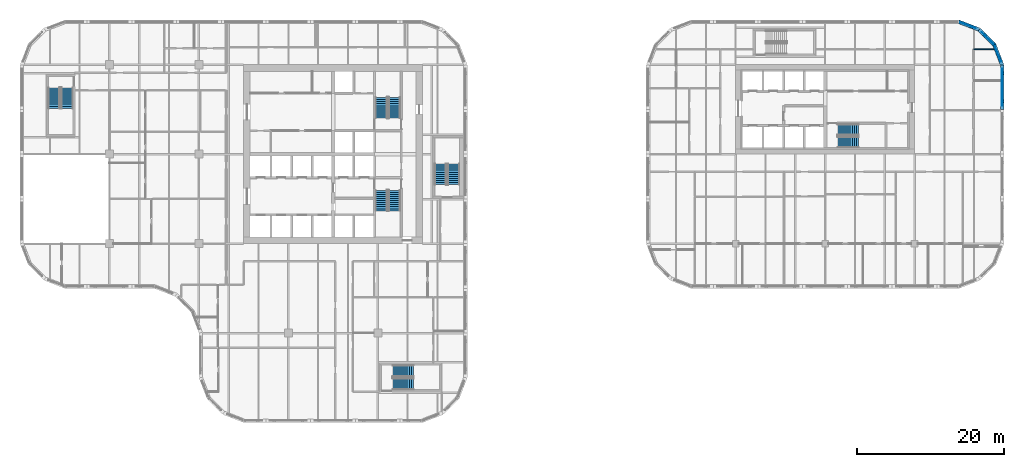
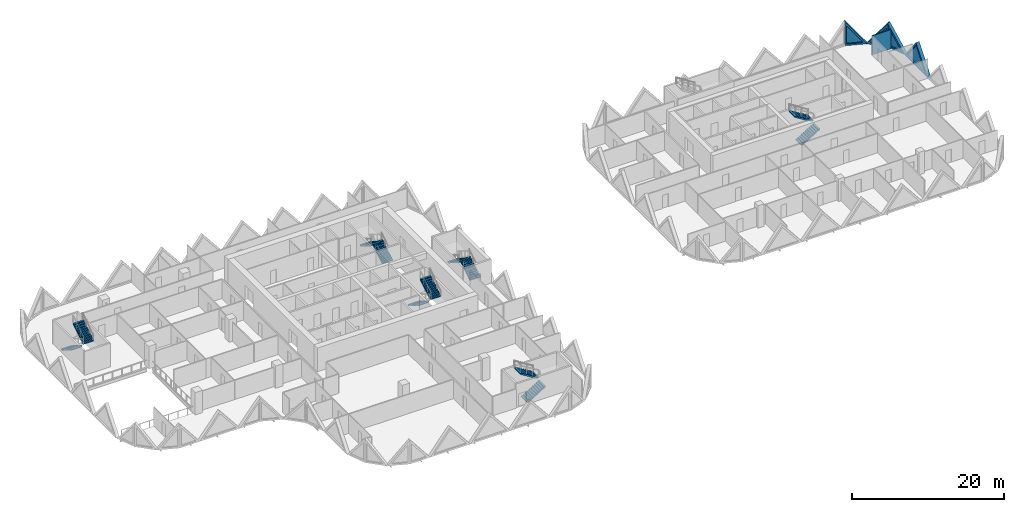
# One storey, part 16 of 19: 12 stair flights, 5 walls, 4 plates, 4 openings, 6 elements without a shape of their own.
"""IFC4 building model written with IfcOpenShell, lengths in metres."""

from ifc_helpers import new_model, si_unit, direction, frame, frame_2d, origin, place, context, subcontext, project, spatial, polyline, rectangle, outline, extrude, faceted_brep, source, transform, mapped, material, layer, layer_set, type_object, element, fill, aggregate, save


model = new_model("IFC4")

# Units and contexts
model_context = context("Model", 3, precision=1e-05, world=origin(), true_north=direction((0.0, 1.0)))
body_context = subcontext(model_context, "Body", "Model", "MODEL_VIEW")
ifc_project = project(units=[si_unit("LENGTHUNIT", "METRE"), si_unit("AREAUNIT", "SQUARE_METRE"), si_unit("VOLUMEUNIT", "CUBIC_METRE"), si_unit("PLANEANGLEUNIT", "RADIAN"), si_unit("MASSUNIT", "GRAM", prefix="KILO")], contexts=[model_context])

# Site, building, storey
site_placement = place(None, origin())
site = spatial("IfcSite", under=ifc_project, at=site_placement, CompositionType="ELEMENT")
building_placement = place(site_placement, origin())
building = spatial("IfcBuilding", under=site, at=building_placement, Name="Tessera Gate Towers", CompositionType="ELEMENT")
storey_placement = place(building_placement, frame((0.0, 0.0, 25.800048828125)))
storey = spatial("IfcBuildingStorey", under=building, at=storey_placement, Name="L05", CompositionType="ELEMENT", Elevation=25.800048828125)

# Wall
ifc_material_1 = material(Name="Gypsum board on steel studs, mineral wool", Category="steel")
ifc_layer_1 = layer(ifc_material_1, 0.14990234375)
ifc_layer_set_1 = layer_set([ifc_layer_1], Name="TENANCY WALL 150")
wall_type_1 = type_object("IfcWallType", Name="TENANCY WALL 150", PredefinedType="PARTITIONING", material=ifc_layer_set_1)
wall_1_placement = place(storey_placement, frame((130.075927734375, 50.89990234375, 0.0), z_axis=(0.0, 0.0, 1.0), x_axis=(1.0, 0.0, 0.0)))
element("IfcWall", 1, at=wall_1_placement, inside=storey, type_object=wall_type_1, Name="T2-L05-PW-044", PredefinedType="PARTITIONING", context=body_context, shape_type="SweptSolid", body=[
    extrude(rectangle(XDim=2.778076171875, YDim=0.14990234375, at=frame_2d((1.38916015625, 0.0))), origin(), (0.0, 0.0, 1.0), 3.06689453125),
])

# Wall, opening, plate
ifc_material_2 = material(Name="Precast concrete C60/75 white", Category="concrete")
ifc_layer_2 = layer(ifc_material_2, 0.5)
ifc_layer_set_2 = layer_set([ifc_layer_2], Name="TS2 half tessera")
wall_type_2 = type_object("IfcWallType", Name="TS2 half tessera", PredefinedType="SOLIDWALL", material=ifc_layer_set_2)
shared_shape_1 = source(origin(), body_context, "Body", "Brep", [
    faceted_brep([(6.053466796875, -0.25, 0.0), (3.050048828125, -0.25, 3.800048828125), (0.0, -0.25, 0.0), (0.0, 0.25, 0.0), (3.050048828125, 0.25, 3.800048828125), (6.0068359375, 0.25, 0.058837890625), (6.0068359375, 0.25, 0.0), (6.053466796875, 0.0, 0.0)], [[[0, 1, 2]], [[3, 4, 5, 6]], [[5, 4, 1, 0, 7]], [[4, 3, 2, 1]], [[3, 6, 7, 0, 2]], [[7, 6, 5]]]),
])
wall_2_placement = place(storey_placement, frame((133.949951171875, 42.699951171875, 0.0), z_axis=(0.0, 0.0, 1.0), x_axis=(0.0, 1.0, 0.0)))
wall_2 = element("IfcWall", 2, at=wall_2_placement, inside=storey, type_object=wall_type_2, Name="Precast half tessera T2 TS2-0044", PredefinedType="SOLIDWALL", context=body_context, shape_type="MappedRepresentation", body=[
    mapped(shared_shape_1, transform((0.0, 0.0, 0.0), scale=1.0)),
])
shared_shape_2 = source(origin(), body_context, "Body", "SweptSolid", [
    extrude(outline(polyline([(5.537109375, 0.25), (3.048583984375, 3.398681640625), (0.521240234375, 0.25), (5.537109375, 0.25)])), frame((0.0, 0.260009765625, 0.0), z_axis=(0.0, -1.0, 0.0), x_axis=(1.0, 0.0, 0.0)), (0.0, 0.0, 1.0), 0.52001953125),
])
opening_1_placement = place(wall_2_placement, origin())
opening_1 = element("IfcOpeningElement", 3, at=opening_1_placement, cuts=wall_2, Name="Opening T2-PL1-0082", PredefinedType="OPENING", context=body_context, shape_type="MappedRepresentation", body=[
    mapped(shared_shape_2, transform((0.0, 0.0, 0.0), scale=1.0)),
])
ifc_material_3 = material(Name="Low-e laminated glass", Category="glass")
ifc_layer_3 = layer(ifc_material_3, 0.06005859375)
ifc_layer_set_3 = layer_set([ifc_layer_3], Name="PL1 triangular pane")
plate_type = type_object("IfcPlateType", Name="PL1 triangular pane", PredefinedType="SHEET", material=ifc_layer_set_3)
shared_shape_3 = source(origin(), body_context, "Body", "SweptSolid", [
    extrude(outline(polyline([(5.537109375, 0.25), (3.048583984375, 3.398681640625), (0.521240234375, 0.25), (5.537109375, 0.25)])), frame((0.0, 0.030029296875, 0.0), z_axis=(0.0, -1.0, 0.0), x_axis=(1.0, 0.0, 0.0)), (0.0, 0.0, 1.0), 0.06005859375),
])
plate_1_placement = place(opening_1_placement, origin())
plate_1 = element("IfcPlate", 4, at=plate_1_placement, inside=storey, type_object=plate_type, Name="Glass pane T2 PL1-0082", PredefinedType="SHEET", context=body_context, shape_type="MappedRepresentation", body=[
    mapped(shared_shape_3, transform((0.0, 0.0, 0.0), scale=1.0)),
])
fill(opening_1, plate_1)

ifc_material_4 = material(Name="Precast concrete C60/75 white", Category="concrete")
ifc_layer_4 = layer(ifc_material_4, 0.5)
ifc_layer_set_4 = layer_set([ifc_layer_4], Name="TS3 corner tessera")
wall_type_3 = type_object("IfcWallType", Name="TS3 corner tessera", PredefinedType="SOLIDWALL", material=ifc_layer_set_4)
shared_shape_4 = source(origin(), body_context, "Body", "Brep", [
    faceted_brep([(2.9970703125, -0.25, 3.740966796875), (2.950439453125, -0.25, 3.800048828125), (0.0, -0.25, 0.0), (2.9970703125, -0.25, 0.0), (0.052978515625, 0.25, 0.068115234375), (2.904052734375, 0.25, 3.740234375), (2.904052734375, 0.25, 0.0), (0.052978515625, 0.25, 0.0), (2.950439453125, 0.00048828125, 3.800048828125), (0.0, 0.0, 0.0)], [[[0, 1, 2, 3]], [[4, 5, 6, 7]], [[8, 1, 0]], [[5, 4, 9, 2, 1, 8]], [[7, 6, 3, 2, 9]], [[7, 9, 4]], [[3, 6, 5, 8, 0]]]),
])
wall_3_placement = place(storey_placement, frame((130.80615234375, 53.588134765625, 0.0), z_axis=(0.0, 0.0, 1.0), x_axis=(-0.932990326376, 0.359901446078, 0.0)))
wall_3 = element("IfcWall", 5, at=wall_3_placement, inside=storey, type_object=wall_type_3, Name="Precast corner tessera T2 TS3-0057", PredefinedType="SOLIDWALL", context=body_context, shape_type="MappedRepresentation", body=[
    mapped(shared_shape_4, transform((0.0, 0.0, 0.0), scale=1.0)),
])
shared_shape_5 = source(origin(), body_context, "Body", "SweptSolid", [
    extrude(outline(polyline([(2.75048828125, 3.134765625), (0.5107421875, 0.25), (2.75048828125, 0.25), (2.75048828125, 3.134765625)])), frame((0.0, 0.260009765625, 0.0), z_axis=(0.0, -1.0, 0.0), x_axis=(1.0, 0.0, 0.0)), (0.0, 0.0, 1.0), 0.52001953125),
])
opening_2_placement = place(wall_3_placement, origin())
opening_2 = element("IfcOpeningElement", 6, at=opening_2_placement, cuts=wall_3, Name="Opening T2-PL1-0085", PredefinedType="OPENING", context=body_context, shape_type="MappedRepresentation", body=[
    mapped(shared_shape_5, transform((0.0, 0.0, 0.0), scale=1.0)),
])
shared_shape_6 = source(origin(), body_context, "Body", "SweptSolid", [
    extrude(outline(polyline([(2.75048828125, 3.134765625), (0.5107421875, 0.25), (2.75048828125, 0.25), (2.75048828125, 3.134765625)])), frame((0.0, 0.030029296875, 0.0), z_axis=(0.0, -1.0, 0.0), x_axis=(1.0, 0.0, 0.0)), (0.0, 0.0, 1.0), 0.06005859375),
])
plate_2_placement = place(opening_2_placement, origin())
plate_2 = element("IfcPlate", 7, at=plate_2_placement, inside=storey, type_object=plate_type, Name="Glass pane T2 PL1-0085", PredefinedType="SHEET", context=body_context, shape_type="MappedRepresentation", body=[
    mapped(shared_shape_6, transform((0.0, 0.0, 0.0), scale=1.0)),
])
fill(opening_2, plate_2)

shared_shape_7 = source(origin(), body_context, "Body", "Brep", [
    faceted_brep([(2.9970703125, -0.25, 0.0), (0.052978515625, -0.25, 3.800048828125), (0.0, -0.25, 3.73193359375), (0.0, -0.25, 0.0), (0.10595703125, 0.25, 3.731689453125), (2.944091796875, 0.25, 0.068115234375), (2.944091796875, 0.25, 0.0), (0.10595703125, 0.25, 0.0), (0.052978515625, 0.0, 3.800048828125), (2.9970703125, 0.000244140625, 0.0)], [[[0, 1, 2, 3]], [[4, 5, 6, 7]], [[5, 4, 8, 1, 0, 9]], [[2, 1, 8]], [[7, 6, 9, 0, 3]], [[7, 3, 2, 8, 4]], [[9, 6, 5]]]),
])
wall_4_placement = place(storey_placement, frame((132.925537109375, 51.46875, 0.0), z_axis=(0.0, 0.0, 1.0), x_axis=(-0.707066050402, 0.707147509625, 0.0)))
wall_4 = element("IfcWall", 8, at=wall_4_placement, inside=storey, type_object=wall_type_3, Name="Precast corner tessera T2 TS3-0056", PredefinedType="SOLIDWALL", context=body_context, shape_type="MappedRepresentation", body=[
    mapped(shared_shape_7, transform((0.0, 0.0, 0.0), scale=1.0)),
])
shared_shape_8 = source(origin(), body_context, "Body", "SweptSolid", [
    extrude(outline(polyline([(2.487060546875, 0.25), (0.2529296875, 3.133544921875), (0.2529296875, 0.25), (2.487060546875, 0.25)])), frame((0.0, 0.260009765625, 0.0), z_axis=(0.0, -1.0, 0.0), x_axis=(1.0, 0.0, 0.0)), (0.0, 0.0, 1.0), 0.52001953125),
])
opening_3_placement = place(wall_4_placement, origin())
opening_3 = element("IfcOpeningElement", 9, at=opening_3_placement, cuts=wall_4, Name="Opening T2-PL1-0084", PredefinedType="OPENING", context=body_context, shape_type="MappedRepresentation", body=[
    mapped(shared_shape_8, transform((0.0, 0.0, 0.0), scale=1.0)),
])
shared_shape_9 = source(origin(), body_context, "Body", "SweptSolid", [
    extrude(outline(polyline([(2.487060546875, 0.25), (0.2529296875, 3.133544921875), (0.2529296875, 0.25), (2.487060546875, 0.25)])), frame((0.0, 0.030029296875, 0.0), z_axis=(0.0, -1.0, 0.0), x_axis=(1.0, 0.0, 0.0)), (0.0, 0.0, 1.0), 0.06005859375),
])
plate_3_placement = place(opening_3_placement, origin())
plate_3 = element("IfcPlate", 10, at=plate_3_placement, inside=storey, type_object=plate_type, Name="Glass pane T2 PL1-0084", PredefinedType="SHEET", context=body_context, shape_type="MappedRepresentation", body=[
    mapped(shared_shape_9, transform((0.0, 0.0, 0.0), scale=1.0)),
])
fill(opening_3, plate_3)

shared_shape_10 = source(origin(), body_context, "Body", "Brep", [
    faceted_brep([(3.00341796875, -0.25, 3.731689453125), (2.950439453125, -0.25, 3.800048828125), (0.0, -0.25, 0.0), (3.00341796875, -0.25, 0.0), (0.046630859375, 0.25, 0.06005859375), (2.897705078125, 0.25, 3.73193359375), (2.897705078125, 0.25, 0.0), (0.046630859375, 0.25, 0.0), (2.950439453125, 0.00048828125, 3.800048828125), (0.0, 0.0, 0.0)], [[[0, 1, 2, 3]], [[4, 5, 6, 7]], [[8, 1, 0]], [[5, 4, 9, 2, 1, 8]], [[7, 6, 3, 2, 9]], [[7, 9, 4]], [[3, 6, 5, 8, 0]]]),
])
wall_5_placement = place(storey_placement, frame((133.949951171875, 48.75341796875, 0.0), z_axis=(0.0, 0.0, 1.0), x_axis=(-0.359855894603, 0.933007896601, 0.0)))
wall_5 = element("IfcWall", 11, at=wall_5_placement, inside=storey, type_object=wall_type_3, Name="Precast corner tessera T2 TS3-0055", PredefinedType="SOLIDWALL", context=body_context, shape_type="MappedRepresentation", body=[
    mapped(shared_shape_10, transform((0.0, 0.0, 0.0), scale=1.0)),
])
opening_4_placement = place(wall_5_placement, origin())
opening_4 = element("IfcOpeningElement", 12, at=opening_4_placement, cuts=wall_5, Name="Opening T2-PL1-0083", PredefinedType="OPENING", context=body_context, shape_type="MappedRepresentation", body=[
    mapped(shared_shape_5, transform((0.0, 0.0, 0.0), scale=1.0)),
])
plate_4_placement = place(opening_4_placement, origin())
plate_4 = element("IfcPlate", 13, at=plate_4_placement, inside=storey, type_object=plate_type, Name="Glass pane T2 PL1-0083", PredefinedType="SHEET", context=body_context, shape_type="MappedRepresentation", body=[
    mapped(shared_shape_6, transform((0.0, 0.0, 0.0), scale=1.0)),
])
fill(opening_4, plate_4)

# Stair, stair flights
ifc_material_5 = material(Name="Concrete C40/50", Category="concrete")
stair_type_1 = type_object("IfcStairType", Name="EXIT STAIR ST1 1600", PredefinedType="HALF_TURN_STAIR", material=ifc_material_5)
stair_1_placement = place(storey_placement, origin())
stair_1 = element("IfcStair", 14, at=stair_1_placement, inside=storey, type_object=stair_type_1, Name="L05 Protected Exit Stair ST1", PredefinedType="HALF_TURN_STAIR")
ifc_material_6 = material(Name="Concrete C40/50", Category="concrete")
stair_flight_type_1 = type_object("IfcStairFlightType", Name="EXIT STAIR FLIGHT ST1 1600", PredefinedType="STRAIGHT", material=ifc_material_6)
stair_flight_1_placement = place(storey_placement, frame((49.27490234375, 31.675048828125, 0.0), z_axis=(0.0, 0.0, 1.0), x_axis=(0.0, -1.0, 0.0)))
stair_flight_1 = element("IfcStairFlight", 15, at=stair_flight_1_placement, type_object=stair_flight_type_1, Name="ST1 flight 1", NumberOfRisers=11, NumberOfTreads=10, PredefinedType="STRAIGHT", RiserHeight=0.172727273, TreadLength=0.28, context=body_context, shape_type="SweptSolid", body=[
    extrude(outline(polyline([(0.0, 0.0), (0.0, 0.172607421875), (0.280029296875, 0.172607421875), (0.280029296875, 0.345458984375), (0.56005859375, 0.345458984375), (0.56005859375, 0.51806640625), (0.840087890625, 0.51806640625), (0.840087890625, 0.69091796875), (1.1201171875, 0.69091796875), (1.1201171875, 0.863525390625), (1.39990234375, 0.863525390625), (1.39990234375, 1.036376953125), (1.679931640625, 1.036376953125), (1.679931640625, 1.208984375), (1.9599609375, 1.208984375), (1.9599609375, 1.3818359375), (2.239990234375, 1.3818359375), (2.239990234375, 1.554443359375), (2.52001953125, 1.554443359375), (2.52001953125, 1.727294921875), (2.800048828125, 1.727294921875), (2.800048828125, 1.89990234375), (2.800048828125, 1.551025390625), (0.285400390625, 0.0), (0.0, 0.0)])), frame((0.0, 0.800048828125, 0.0), z_axis=(0.0, -1.0, 0.0), x_axis=(1.0, 0.0, 0.0)), (0.0, 0.0, 1.0), 1.60009765625),
])
stair_flight_2_placement = place(storey_placement, frame((51.074951171875, 28.875, 1.89990234375), z_axis=(0.0, 0.0, 1.0), x_axis=(0.0, 1.0, 0.0)))
stair_flight_2 = element("IfcStairFlight", 16, at=stair_flight_2_placement, type_object=stair_flight_type_1, Name="ST1 flight 2", NumberOfRisers=11, NumberOfTreads=10, PredefinedType="STRAIGHT", RiserHeight=0.172727273, TreadLength=0.28, context=body_context, shape_type="SweptSolid", body=[
    extrude(outline(polyline([(0.0, 0.0), (0.0, 0.172607421875), (0.280029296875, 0.172607421875), (0.280029296875, 0.345458984375), (0.56005859375, 0.345458984375), (0.56005859375, 0.51806640625), (0.840087890625, 0.51806640625), (0.840087890625, 0.69091796875), (1.1201171875, 0.69091796875), (1.1201171875, 0.863525390625), (1.39990234375, 0.863525390625), (1.39990234375, 1.036376953125), (1.679931640625, 1.036376953125), (1.679931640625, 1.208984375), (1.9599609375, 1.208984375), (1.9599609375, 1.3818359375), (2.239990234375, 1.3818359375), (2.239990234375, 1.554443359375), (2.52001953125, 1.554443359375), (2.52001953125, 1.727294921875), (2.800048828125, 1.727294921875), (2.800048828125, 1.89990234375), (2.800048828125, 1.551025390625), (0.285400390625, 0.0), (0.0, 0.0)])), frame((0.0, 0.800048828125, 0.0), z_axis=(0.0, -1.0, 0.0), x_axis=(1.0, 0.0, 0.0)), (0.0, 0.0, 1.0), 1.60009765625),
])
aggregate(stair_1, [stair_flight_1, stair_flight_2])

ifc_material_7 = material(Name="Concrete C40/50", Category="concrete")
stair_type_2 = type_object("IfcStairType", Name="EXIT STAIR ST2 1600", PredefinedType="HALF_TURN_STAIR", material=ifc_material_7)
stair_2_placement = place(storey_placement, origin())
stair_2 = element("IfcStair", 17, at=stair_2_placement, inside=storey, type_object=stair_type_2, Name="L05 Protected Exit Stair ST2", PredefinedType="HALF_TURN_STAIR")
ifc_material_8 = material(Name="Concrete C40/50", Category="concrete")
stair_flight_type_2 = type_object("IfcStairFlightType", Name="EXIT STAIR FLIGHT ST2 1600", PredefinedType="STRAIGHT", material=ifc_material_8)
stair_flight_3_placement = place(storey_placement, frame((51.074951171875, 41.52490234375, 0.0), z_axis=(0.0, 0.0, 1.0), x_axis=(0.0, 1.0, 0.0)))
stair_flight_3 = element("IfcStairFlight", 18, at=stair_flight_3_placement, type_object=stair_flight_type_2, Name="ST2 flight 1", NumberOfRisers=11, NumberOfTreads=10, PredefinedType="STRAIGHT", RiserHeight=0.172727273, TreadLength=0.28, context=body_context, shape_type="SweptSolid", body=[
    extrude(outline(polyline([(0.0, 0.0), (0.0, 0.172607421875), (0.280029296875, 0.172607421875), (0.280029296875, 0.345458984375), (0.56005859375, 0.345458984375), (0.56005859375, 0.51806640625), (0.840087890625, 0.51806640625), (0.840087890625, 0.69091796875), (1.1201171875, 0.69091796875), (1.1201171875, 0.863525390625), (1.39990234375, 0.863525390625), (1.39990234375, 1.036376953125), (1.679931640625, 1.036376953125), (1.679931640625, 1.208984375), (1.9599609375, 1.208984375), (1.9599609375, 1.3818359375), (2.239990234375, 1.3818359375), (2.239990234375, 1.554443359375), (2.52001953125, 1.554443359375), (2.52001953125, 1.727294921875), (2.800048828125, 1.727294921875), (2.800048828125, 1.89990234375), (2.800048828125, 1.551025390625), (0.285400390625, 0.0), (0.0, 0.0)])), frame((0.0, 0.800048828125, 0.0), z_axis=(0.0, -1.0, 0.0), x_axis=(1.0, 0.0, 0.0)), (0.0, 0.0, 1.0), 1.60009765625),
])
stair_flight_4_placement = place(storey_placement, frame((49.27490234375, 44.324951171875, 1.89990234375), z_axis=(0.0, 0.0, 1.0), x_axis=(0.0, -1.0, 0.0)))
stair_flight_4 = element("IfcStairFlight", 19, at=stair_flight_4_placement, type_object=stair_flight_type_2, Name="ST2 flight 2", NumberOfRisers=11, NumberOfTreads=10, PredefinedType="STRAIGHT", RiserHeight=0.172727273, TreadLength=0.28, context=body_context, shape_type="SweptSolid", body=[
    extrude(outline(polyline([(0.0, 0.0), (0.0, 0.172607421875), (0.280029296875, 0.172607421875), (0.280029296875, 0.345458984375), (0.56005859375, 0.345458984375), (0.56005859375, 0.51806640625), (0.840087890625, 0.51806640625), (0.840087890625, 0.69091796875), (1.1201171875, 0.69091796875), (1.1201171875, 0.863525390625), (1.39990234375, 0.863525390625), (1.39990234375, 1.036376953125), (1.679931640625, 1.036376953125), (1.679931640625, 1.208984375), (1.9599609375, 1.208984375), (1.9599609375, 1.3818359375), (2.239990234375, 1.3818359375), (2.239990234375, 1.554443359375), (2.52001953125, 1.554443359375), (2.52001953125, 1.727294921875), (2.800048828125, 1.727294921875), (2.800048828125, 1.89990234375), (2.800048828125, 1.551025390625), (0.285400390625, 0.0), (0.0, 0.0)])), frame((0.0, 0.800048828125, 0.0), z_axis=(0.0, -1.0, 0.0), x_axis=(1.0, 0.0, 0.0)), (0.0, 0.0, 1.0), 1.60009765625),
])
aggregate(stair_2, [stair_flight_3, stair_flight_4])

ifc_material_9 = material(Name="Concrete C40/50", Category="concrete")
stair_type_3 = type_object("IfcStairType", Name="EXIT STAIR ST3 1600", PredefinedType="HALF_TURN_STAIR", material=ifc_material_9)
stair_3_placement = place(storey_placement, origin())
stair_3 = element("IfcStair", 20, at=stair_3_placement, inside=storey, type_object=stair_type_3, Name="L05 West Exit Stair ST3", PredefinedType="HALF_TURN_STAIR")
ifc_material_10 = material(Name="Concrete C40/50", Category="concrete")
stair_flight_type_3 = type_object("IfcStairFlightType", Name="EXIT STAIR FLIGHT ST3 1600", PredefinedType="STRAIGHT", material=ifc_material_10)
stair_flight_5_placement = place(storey_placement, frame((4.64990234375, 45.64990234375, 0.0), z_axis=(0.0, 0.0, 1.0), x_axis=(0.0, -1.0, 0.0)))
stair_flight_5 = element("IfcStairFlight", 21, at=stair_flight_5_placement, type_object=stair_flight_type_3, Name="ST3 flight 1", NumberOfRisers=11, NumberOfTreads=10, PredefinedType="STRAIGHT", RiserHeight=0.172727273, TreadLength=0.28, context=body_context, shape_type="SweptSolid", body=[
    extrude(outline(polyline([(0.0, 0.0), (0.0, 0.172607421875), (0.280029296875, 0.172607421875), (0.280029296875, 0.345458984375), (0.56005859375, 0.345458984375), (0.56005859375, 0.51806640625), (0.840087890625, 0.51806640625), (0.840087890625, 0.69091796875), (1.1201171875, 0.69091796875), (1.1201171875, 0.863525390625), (1.39990234375, 0.863525390625), (1.39990234375, 1.036376953125), (1.679931640625, 1.036376953125), (1.679931640625, 1.208984375), (1.9599609375, 1.208984375), (1.9599609375, 1.3818359375), (2.239990234375, 1.3818359375), (2.239990234375, 1.554443359375), (2.52001953125, 1.554443359375), (2.52001953125, 1.727294921875), (2.800048828125, 1.727294921875), (2.800048828125, 1.89990234375), (2.800048828125, 1.551025390625), (0.285400390625, 0.0), (0.0, 0.0)])), frame((0.0, 0.800048828125, 0.0), z_axis=(0.0, -1.0, 0.0), x_axis=(1.0, 0.0, 0.0)), (0.0, 0.0, 1.0), 1.60009765625),
])
stair_flight_6_placement = place(storey_placement, frame((6.449951171875, 42.85009765625, 1.89990234375), z_axis=(0.0, 0.0, 1.0), x_axis=(0.0, 1.0, 0.0)))
stair_flight_6 = element("IfcStairFlight", 22, at=stair_flight_6_placement, type_object=stair_flight_type_3, Name="ST3 flight 2", NumberOfRisers=11, NumberOfTreads=10, PredefinedType="STRAIGHT", RiserHeight=0.172727273, TreadLength=0.28, context=body_context, shape_type="SweptSolid", body=[
    extrude(outline(polyline([(0.0, 0.0), (0.0, 0.172607421875), (0.280029296875, 0.172607421875), (0.280029296875, 0.345458984375), (0.56005859375, 0.345458984375), (0.56005859375, 0.51806640625), (0.840087890625, 0.51806640625), (0.840087890625, 0.69091796875), (1.1201171875, 0.69091796875), (1.1201171875, 0.863525390625), (1.39990234375, 0.863525390625), (1.39990234375, 1.036376953125), (1.679931640625, 1.036376953125), (1.679931640625, 1.208984375), (1.9599609375, 1.208984375), (1.9599609375, 1.3818359375), (2.239990234375, 1.3818359375), (2.239990234375, 1.554443359375), (2.52001953125, 1.554443359375), (2.52001953125, 1.727294921875), (2.800048828125, 1.727294921875), (2.800048828125, 1.89990234375), (2.800048828125, 1.551025390625), (0.285400390625, 0.0), (0.0, 0.0)])), frame((0.0, 0.800048828125, 0.0), z_axis=(0.0, -1.0, 0.0), x_axis=(1.0, 0.0, 0.0)), (0.0, 0.0, 1.0), 1.60009765625),
])
aggregate(stair_3, [stair_flight_5, stair_flight_6])

ifc_material_11 = material(Name="Concrete C40/50", Category="concrete")
stair_type_4 = type_object("IfcStairType", Name="EXIT STAIR ST4 1600", PredefinedType="HALF_TURN_STAIR", material=ifc_material_11)
stair_4_placement = place(storey_placement, origin())
stair_4 = element("IfcStair", 23, at=stair_4_placement, inside=storey, type_object=stair_type_4, Name="L05 South Exit Stair ST4", PredefinedType="HALF_TURN_STAIR")
ifc_material_12 = material(Name="Concrete C40/50", Category="concrete")
stair_flight_type_4 = type_object("IfcStairFlightType", Name="EXIT STAIR FLIGHT ST4 1600", PredefinedType="STRAIGHT", material=ifc_material_12)
stair_flight_7_placement = place(storey_placement, frame((50.85009765625, 5.25, 0.0), z_axis=(0.0, 0.0, 1.0), x_axis=(1.0, 0.0, 0.0)))
stair_flight_7 = element("IfcStairFlight", 24, at=stair_flight_7_placement, type_object=stair_flight_type_4, Name="ST4 flight 1", NumberOfRisers=11, NumberOfTreads=10, PredefinedType="STRAIGHT", RiserHeight=0.172727273, TreadLength=0.28, context=body_context, shape_type="SweptSolid", body=[
    extrude(outline(polyline([(0.0, 0.0), (0.0, 0.172607421875), (0.280029296875, 0.172607421875), (0.280029296875, 0.345458984375), (0.56005859375, 0.345458984375), (0.56005859375, 0.51806640625), (0.840087890625, 0.51806640625), (0.840087890625, 0.69091796875), (1.1201171875, 0.69091796875), (1.1201171875, 0.863525390625), (1.39990234375, 0.863525390625), (1.39990234375, 1.036376953125), (1.679931640625, 1.036376953125), (1.679931640625, 1.208984375), (1.9599609375, 1.208984375), (1.9599609375, 1.3818359375), (2.239990234375, 1.3818359375), (2.239990234375, 1.554443359375), (2.52001953125, 1.554443359375), (2.52001953125, 1.727294921875), (2.800048828125, 1.727294921875), (2.800048828125, 1.89990234375), (2.800048828125, 1.551025390625), (0.285400390625, 0.0), (0.0, 0.0)])), frame((0.0, 0.800048828125, 0.0), z_axis=(0.0, -1.0, 0.0), x_axis=(1.0, 0.0, 0.0)), (0.0, 0.0, 1.0), 1.60009765625),
])
stair_flight_8_placement = place(storey_placement, frame((53.64990234375, 7.050048828125, 1.89990234375), z_axis=(0.0, 0.0, 1.0), x_axis=(-1.0, 0.0, 0.0)))
stair_flight_8 = element("IfcStairFlight", 25, at=stair_flight_8_placement, type_object=stair_flight_type_4, Name="ST4 flight 2", NumberOfRisers=11, NumberOfTreads=10, PredefinedType="STRAIGHT", RiserHeight=0.172727273, TreadLength=0.28, context=body_context, shape_type="SweptSolid", body=[
    extrude(outline(polyline([(0.0, 0.0), (0.0, 0.172607421875), (0.280029296875, 0.172607421875), (0.280029296875, 0.345458984375), (0.56005859375, 0.345458984375), (0.56005859375, 0.51806640625), (0.840087890625, 0.51806640625), (0.840087890625, 0.69091796875), (1.1201171875, 0.69091796875), (1.1201171875, 0.863525390625), (1.39990234375, 0.863525390625), (1.39990234375, 1.036376953125), (1.679931640625, 1.036376953125), (1.679931640625, 1.208984375), (1.9599609375, 1.208984375), (1.9599609375, 1.3818359375), (2.239990234375, 1.3818359375), (2.239990234375, 1.554443359375), (2.52001953125, 1.554443359375), (2.52001953125, 1.727294921875), (2.800048828125, 1.727294921875), (2.800048828125, 1.89990234375), (2.800048828125, 1.551025390625), (0.285400390625, 0.0), (0.0, 0.0)])), frame((0.0, 0.800048828125, 0.0), z_axis=(0.0, -1.0, 0.0), x_axis=(1.0, 0.0, 0.0)), (0.0, 0.0, 1.0), 1.60009765625),
])
aggregate(stair_4, [stair_flight_7, stair_flight_8])

ifc_material_13 = material(Name="Concrete C40/50", Category="concrete")
stair_type_5 = type_object("IfcStairType", Name="EXIT STAIR ST5 1600", PredefinedType="HALF_TURN_STAIR", material=ifc_material_13)
stair_5_placement = place(storey_placement, origin())
stair_5 = element("IfcStair", 26, at=stair_5_placement, inside=storey, type_object=stair_type_5, Name="L05 East Exit Stair ST5", PredefinedType="HALF_TURN_STAIR")
ifc_material_14 = material(Name="Concrete C40/50", Category="concrete")
stair_flight_type_5 = type_object("IfcStairFlightType", Name="EXIT STAIR FLIGHT ST5 1600", PredefinedType="STRAIGHT", material=ifc_material_14)
stair_flight_9_placement = place(storey_placement, frame((59.14990234375, 32.449951171875, 0.0), z_axis=(0.0, 0.0, 1.0), x_axis=(0.0, 1.0, 0.0)))
stair_flight_9 = element("IfcStairFlight", 27, at=stair_flight_9_placement, type_object=stair_flight_type_5, Name="ST5 flight 1", NumberOfRisers=11, NumberOfTreads=10, PredefinedType="STRAIGHT", RiserHeight=0.172727273, TreadLength=0.28, context=body_context, shape_type="SweptSolid", body=[
    extrude(outline(polyline([(0.0, 0.0), (0.0, 0.172607421875), (0.280029296875, 0.172607421875), (0.280029296875, 0.345458984375), (0.56005859375, 0.345458984375), (0.56005859375, 0.51806640625), (0.840087890625, 0.51806640625), (0.840087890625, 0.69091796875), (1.1201171875, 0.69091796875), (1.1201171875, 0.863525390625), (1.39990234375, 0.863525390625), (1.39990234375, 1.036376953125), (1.679931640625, 1.036376953125), (1.679931640625, 1.208984375), (1.9599609375, 1.208984375), (1.9599609375, 1.3818359375), (2.239990234375, 1.3818359375), (2.239990234375, 1.554443359375), (2.52001953125, 1.554443359375), (2.52001953125, 1.727294921875), (2.800048828125, 1.727294921875), (2.800048828125, 1.89990234375), (2.800048828125, 1.551025390625), (0.285400390625, 0.0), (0.0, 0.0)])), frame((0.0, 0.800048828125, 0.0), z_axis=(0.0, -1.0, 0.0), x_axis=(1.0, 0.0, 0.0)), (0.0, 0.0, 1.0), 1.60009765625),
])
stair_flight_10_placement = place(storey_placement, frame((57.35009765625, 35.25, 1.89990234375), z_axis=(0.0, 0.0, 1.0), x_axis=(0.0, -1.0, 0.0)))
stair_flight_10 = element("IfcStairFlight", 28, at=stair_flight_10_placement, type_object=stair_flight_type_5, Name="ST5 flight 2", NumberOfRisers=11, NumberOfTreads=10, PredefinedType="STRAIGHT", RiserHeight=0.172727273, TreadLength=0.28, context=body_context, shape_type="SweptSolid", body=[
    extrude(outline(polyline([(0.0, 0.0), (0.0, 0.172607421875), (0.280029296875, 0.172607421875), (0.280029296875, 0.345458984375), (0.56005859375, 0.345458984375), (0.56005859375, 0.51806640625), (0.840087890625, 0.51806640625), (0.840087890625, 0.69091796875), (1.1201171875, 0.69091796875), (1.1201171875, 0.863525390625), (1.39990234375, 0.863525390625), (1.39990234375, 1.036376953125), (1.679931640625, 1.036376953125), (1.679931640625, 1.208984375), (1.9599609375, 1.208984375), (1.9599609375, 1.3818359375), (2.239990234375, 1.3818359375), (2.239990234375, 1.554443359375), (2.52001953125, 1.554443359375), (2.52001953125, 1.727294921875), (2.800048828125, 1.727294921875), (2.800048828125, 1.89990234375), (2.800048828125, 1.551025390625), (0.285400390625, 0.0), (0.0, 0.0)])), frame((0.0, 0.800048828125, 0.0), z_axis=(0.0, -1.0, 0.0), x_axis=(1.0, 0.0, 0.0)), (0.0, 0.0, 1.0), 1.60009765625),
])
aggregate(stair_5, [stair_flight_9, stair_flight_10])

ifc_material_15 = material(Name="Concrete C40/50", Category="concrete")
stair_type_6 = type_object("IfcStairType", Name="EXIT STAIR ST6 1500", PredefinedType="HALF_TURN_STAIR", material=ifc_material_15)
stair_6_placement = place(storey_placement, origin())
stair_6 = element("IfcStair", 29, at=stair_6_placement, inside=storey, type_object=stair_type_6, Name="L05 Protected Exit Stair ST6", PredefinedType="HALF_TURN_STAIR")
ifc_material_16 = material(Name="Concrete C40/50", Category="concrete")
stair_flight_type_6 = type_object("IfcStairFlightType", Name="EXIT STAIR FLIGHT ST6 1500", PredefinedType="STRAIGHT", material=ifc_material_16)
stair_flight_11_placement = place(storey_placement, frame((111.550048828125, 38.25, 0.0), z_axis=(0.0, 0.0, 1.0), x_axis=(1.0, 0.0, 0.0)))
stair_flight_11 = element("IfcStairFlight", 30, at=stair_flight_11_placement, type_object=stair_flight_type_6, Name="ST6 flight 1", NumberOfRisers=11, NumberOfTreads=10, PredefinedType="STRAIGHT", RiserHeight=0.172727273, TreadLength=0.28, context=body_context, shape_type="SweptSolid", body=[
    extrude(outline(polyline([(0.0, 0.0), (0.0, 0.172607421875), (0.280029296875, 0.172607421875), (0.280029296875, 0.345458984375), (0.56005859375, 0.345458984375), (0.56005859375, 0.51806640625), (0.840087890625, 0.51806640625), (0.840087890625, 0.69091796875), (1.1201171875, 0.69091796875), (1.1201171875, 0.863525390625), (1.39990234375, 0.863525390625), (1.39990234375, 1.036376953125), (1.679931640625, 1.036376953125), (1.679931640625, 1.208984375), (1.9599609375, 1.208984375), (1.9599609375, 1.3818359375), (2.239990234375, 1.3818359375), (2.239990234375, 1.554443359375), (2.52001953125, 1.554443359375), (2.52001953125, 1.727294921875), (2.800048828125, 1.727294921875), (2.800048828125, 1.89990234375), (2.800048828125, 1.551025390625), (0.285400390625, 0.0), (0.0, 0.0)])), frame((0.0, 0.75, 0.0), z_axis=(0.0, -1.0, 0.0), x_axis=(1.0, 0.0, 0.0)), (0.0, 0.0, 1.0), 1.5),
])
stair_flight_12_placement = place(storey_placement, frame((114.35009765625, 39.949951171875, 1.89990234375), z_axis=(0.0, 0.0, 1.0), x_axis=(-1.0, 0.0, 0.0)))
stair_flight_12 = element("IfcStairFlight", 31, at=stair_flight_12_placement, type_object=stair_flight_type_6, Name="ST6 flight 2", NumberOfRisers=11, NumberOfTreads=10, PredefinedType="STRAIGHT", RiserHeight=0.172727273, TreadLength=0.28, context=body_context, shape_type="SweptSolid", body=[
    extrude(outline(polyline([(0.0, 0.0), (0.0, 0.172607421875), (0.280029296875, 0.172607421875), (0.280029296875, 0.345458984375), (0.56005859375, 0.345458984375), (0.56005859375, 0.51806640625), (0.840087890625, 0.51806640625), (0.840087890625, 0.69091796875), (1.1201171875, 0.69091796875), (1.1201171875, 0.863525390625), (1.39990234375, 0.863525390625), (1.39990234375, 1.036376953125), (1.679931640625, 1.036376953125), (1.679931640625, 1.208984375), (1.9599609375, 1.208984375), (1.9599609375, 1.3818359375), (2.239990234375, 1.3818359375), (2.239990234375, 1.554443359375), (2.52001953125, 1.554443359375), (2.52001953125, 1.727294921875), (2.800048828125, 1.727294921875), (2.800048828125, 1.89990234375), (2.800048828125, 1.551025390625), (0.285400390625, 0.0), (0.0, 0.0)])), frame((0.0, 0.75, 0.0), z_axis=(0.0, -1.0, 0.0), x_axis=(1.0, 0.0, 0.0)), (0.0, 0.0, 1.0), 1.5),
])
aggregate(stair_6, [stair_flight_11, stair_flight_12])

save(model, "model.ifc")
